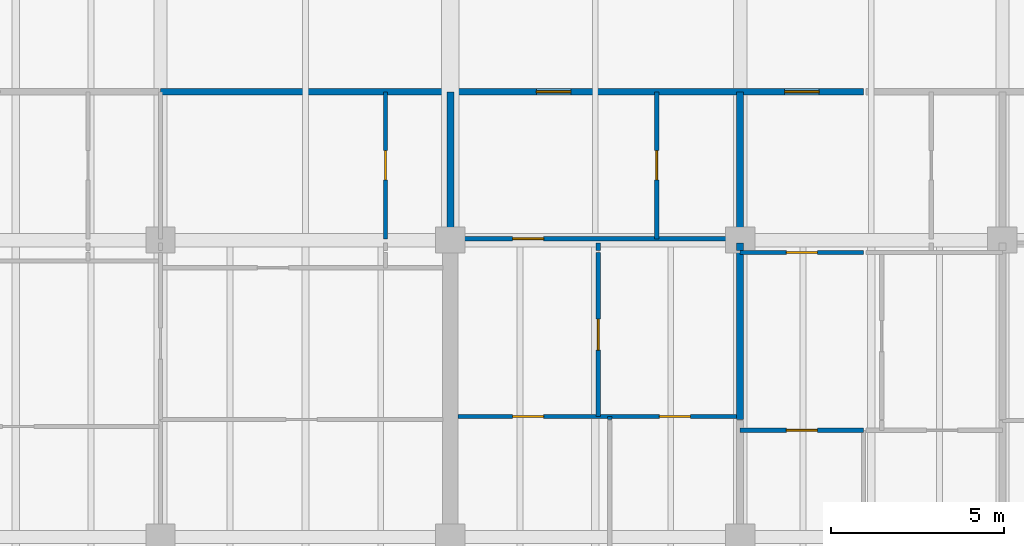
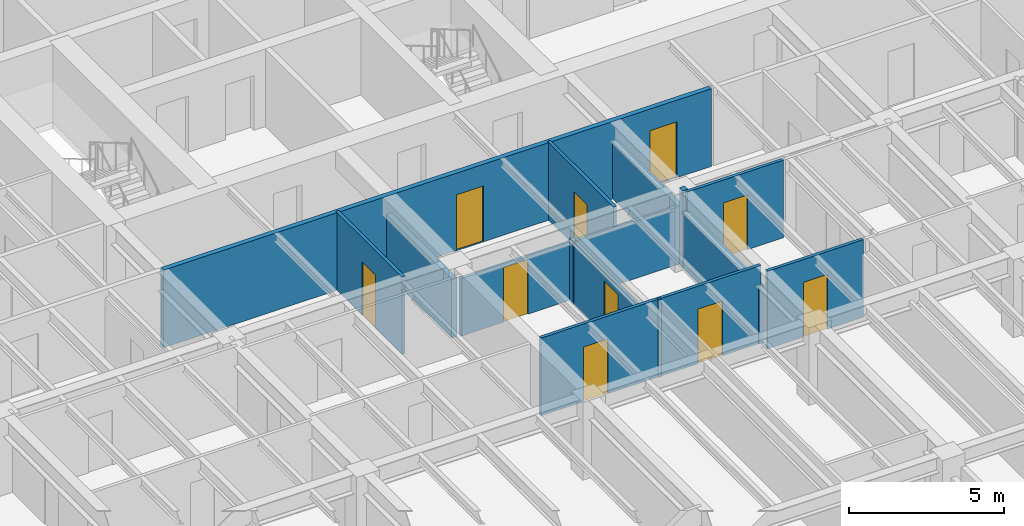
# One storey, part 9 of 19: 14 walls, 10 doors, 10 openings.
"""IFC4 building model written with IfcOpenShell, lengths in metres."""

from ifc_helpers import new_model, si_unit, direction, frame, frame_2d, origin, place, context, subcontext, project, spatial, rectangle, extrude, material, layer, layer_set, type_object, element, fill, save


model = new_model("IFC4")

# Units and contexts
model_context = context("Model", 3, precision=1e-05, world=origin(), true_north=direction((0.0, 1.0)))
body_context = subcontext(model_context, "Body", "Model", "MODEL_VIEW")
ifc_project = project(units=[si_unit("LENGTHUNIT", "METRE"), si_unit("AREAUNIT", "SQUARE_METRE"), si_unit("VOLUMEUNIT", "CUBIC_METRE"), si_unit("PLANEANGLEUNIT", "RADIAN"), si_unit("MASSUNIT", "GRAM", prefix="KILO")], contexts=[model_context])

# Site, building, storey
site_placement = place(None, origin())
site = spatial("IfcSite", under=ifc_project, at=site_placement, CompositionType="ELEMENT")
building_placement = place(site_placement, origin())
building = spatial("IfcBuilding", under=site, at=building_placement, Name="Caelmar Bay Residences", CompositionType="ELEMENT")
storey_placement = place(building_placement, frame((0.0, 0.0, 163.800048828125)))
storey = spatial("IfcBuildingStorey", under=building, at=storey_placement, Name="L45", CompositionType="ELEMENT", Elevation=163.800048828125)

# Wall, openings, doors
ifc_material_1 = material(Name="Double-stud acoustic fire-rated gypsum partition 180 mm")
ifc_layer_1 = layer(ifc_material_1, 0.179931640625)
ifc_layer_set_1 = layer_set([ifc_layer_1], Name="Double-stud acoustic fire-rated gypsum partition 180 mm")
wall_type_1 = type_object("IfcWallType", Name="W-COR-200", PredefinedType="PARTITIONING", material=ifc_layer_set_1)
wall_1_placement = place(storey_placement, frame((18.300048828125, 33.699951171875, 0.0), z_axis=(0.0, 0.0, 1.0), x_axis=(1.0, 0.0, 0.0)))
wall_1 = element("IfcWall", 1, at=wall_1_placement, inside=storey, type_object=wall_type_1, Name="L45 Partition Wall H115", PredefinedType="PARTITIONING", context=body_context, shape_type="SweptSolid", body=[
    extrude(rectangle(XDim=20.3720703125, YDim=0.179931640625, at=frame_2d((10.18603515625, 0.0))), origin(), (0.0, 0.0, 1.0), 3.050048828125),
])
opening_1_placement = place(wall_1_placement, frame((10.89111328125, 0.0, 0.0)))
opening_1 = element("IfcOpeningElement", 2, at=opening_1_placement, cuts=wall_1, Name="Opening D-L45-131", PredefinedType="OPENING", context=body_context, shape_type="SweptSolid", body=[
    extrude(rectangle(XDim=1.0, YDim=2.199951171875, at=frame_2d((0.5, 1.10009765625))), frame((0.0, 0.099853515625, 0.0), z_axis=(0.0, -1.0, 0.0), x_axis=(1.0, 0.0, 0.0)), (0.0, 0.0, 1.0), 0.199951171875),
])
opening_2_placement = place(wall_1_placement, frame((18.0859375, 0.0, 0.0)))
opening_2 = element("IfcOpeningElement", 3, at=opening_2_placement, cuts=wall_1, Name="Opening D-L45-138", PredefinedType="OPENING", context=body_context, shape_type="SweptSolid", body=[
    extrude(rectangle(XDim=1.0, YDim=2.199951171875, at=frame_2d((0.5, 1.10009765625))), frame((0.0, 0.099853515625, 0.0), z_axis=(0.0, -1.0, 0.0), x_axis=(1.0, 0.0, 0.0)), (0.0, 0.0, 1.0), 0.199951171875),
])
ifc_material_2 = material(Name="Fire-rated steel and walnut architectural door assembly", Category="steel")
ifc_layer_2 = layer(ifc_material_2, 0.050048828125)
ifc_layer_set_2 = layer_set([ifc_layer_2], Name="Fire-rated steel and walnut architectural door assembly")
door_type_1 = type_object("IfcDoorType", Name="D-UNIT-1000", OperationType="NOTDEFINED", PredefinedType="DOOR", material=ifc_layer_set_2)
door_1_placement = place(opening_1_placement, origin())
door_1 = element("IfcDoor", 4, at=door_1_placement, inside=storey, type_object=door_type_1, Name="L45 Residence 02 Apartment Hall Door", OperationType="SINGLE_SWING_LEFT", OverallHeight=2.199951171875, OverallWidth=1.0, PredefinedType="DOOR", context=body_context, shape_type="SweptSolid", body=[
    extrude(rectangle(XDim=1.0, YDim=2.199951171875, at=frame_2d((0.5, 1.10009765625))), frame((0.0, 0.02490234375, 0.0), z_axis=(0.0, -1.0, 0.0), x_axis=(1.0, 0.0, 0.0)), (0.0, 0.0, 1.0), 0.050048828125),
])
fill(opening_1, door_1)
door_2_placement = place(opening_2_placement, origin())
door_2 = element("IfcDoor", 5, at=door_2_placement, inside=storey, type_object=door_type_1, Name="L45 Residence 03 Apartment Hall Door", OperationType="SINGLE_SWING_RIGHT", OverallHeight=2.199951171875, OverallWidth=1.0, PredefinedType="DOOR", context=body_context, shape_type="SweptSolid", body=[
    extrude(rectangle(XDim=1.0, YDim=2.199951171875, at=frame_2d((0.5, 1.10009765625))), frame((0.0, 0.02490234375, 0.0), z_axis=(0.0, -1.0, 0.0), x_axis=(1.0, 0.0, 0.0)), (0.0, 0.0, 1.0), 0.050048828125),
])
fill(opening_2, door_2)

# Wall, opening, door
ifc_material_3 = material(Name="Acoustic metal-stud gypsum partition 120 mm")
ifc_layer_3 = layer(ifc_material_3, 0.1201171875)
ifc_layer_set_3 = layer_set([ifc_layer_3], Name="Acoustic metal-stud gypsum partition 120 mm")
wall_type_2 = type_object("IfcWallType", Name="W-PRT-120", PredefinedType="PARTITIONING", material=ifc_layer_set_3)
wall_2_placement = place(storey_placement, frame((24.818115234375, 29.43994140625, 0.0), z_axis=(0.0, 0.0, 1.0), x_axis=(0.0, 1.0, 0.0)))
wall_2 = element("IfcWall", 6, at=wall_2_placement, inside=storey, type_object=wall_type_2, Name="L45 Partition Wall V021", PredefinedType="PARTITIONING", context=body_context, shape_type="SweptSolid", body=[
    extrude(rectangle(XDim=4.260009765625, YDim=0.1201171875, at=frame_2d((2.1298828125, 0.0))), origin(), (0.0, 0.0, 1.0), 3.050048828125),
])
opening_3_placement = place(wall_2_placement, frame((1.705078125, 0.0, 0.0)))
opening_3 = element("IfcOpeningElement", 7, at=opening_3_placement, cuts=wall_2, Name="Opening D-L45-128", PredefinedType="OPENING", context=body_context, shape_type="SweptSolid", body=[
    extrude(rectangle(XDim=0.85009765625, YDim=2.10009765625, at=frame_2d((0.425048828125, 1.050048828125))), frame((0.0, 0.070068359375, 0.0), z_axis=(0.0, -1.0, 0.0), x_axis=(1.0, 0.0, 0.0)), (0.0, 0.0, 1.0), 0.14013671875),
])
ifc_material_4 = material(Name="Solid walnut timber interior door leaf and frame", Category="wood")
ifc_layer_4 = layer(ifc_material_4, 0.050048828125)
ifc_layer_set_4 = layer_set([ifc_layer_4], Name="Solid walnut timber interior door leaf and frame")
door_type_2 = type_object("IfcDoorType", Name="D-BATH-850", OperationType="NOTDEFINED", PredefinedType="DOOR", material=ifc_layer_set_4)
door_3_placement = place(opening_3_placement, origin())
door_3 = element("IfcDoor", 8, at=door_3_placement, inside=storey, type_object=door_type_2, Name="L45 Residence 01 En-Suite Bathroom 1 Door", OperationType="SINGLE_SWING_RIGHT", OverallHeight=2.10009765625, OverallWidth=0.85009765625, PredefinedType="DOOR", context=body_context, shape_type="SweptSolid", body=[
    extrude(rectangle(XDim=0.85009765625, YDim=2.10009765625, at=frame_2d((0.425048828125, 1.050048828125))), frame((0.0, 0.02490234375, 0.0), z_axis=(0.0, -1.0, 0.0), x_axis=(1.0, 0.0, 0.0)), (0.0, 0.0, 1.0), 0.050048828125),
])
fill(opening_3, door_3)

wall_3_placement = place(storey_placement, frame((30.986083984375, 24.2900390625, 0.0), z_axis=(0.0, 0.0, 1.0), x_axis=(0.0, 1.0, 0.0)))
wall_3 = element("IfcWall", 9, at=wall_3_placement, inside=storey, type_object=wall_type_2, Name="L45 Partition Wall V028", PredefinedType="PARTITIONING", context=body_context, shape_type="SweptSolid", body=[
    extrude(rectangle(XDim=4.75, YDim=0.1201171875, at=frame_2d((2.375, 0.0))), origin(), (0.0, 0.0, 1.0), 2.4990234375),
])
opening_4_placement = place(wall_3_placement, frame((1.925048828125, 0.0, 0.0)))
opening_4 = element("IfcOpeningElement", 10, at=opening_4_placement, cuts=wall_3, Name="Opening D-L45-134", PredefinedType="OPENING", context=body_context, shape_type="SweptSolid", body=[
    extrude(rectangle(XDim=0.89990234375, YDim=2.14990234375, at=frame_2d((0.449951171875, 1.074951171875))), frame((0.0, 0.070068359375, 0.0), z_axis=(0.0, -1.0, 0.0), x_axis=(1.0, 0.0, 0.0)), (0.0, 0.0, 1.0), 0.14013671875),
])
ifc_layer_5 = layer(ifc_material_4, 0.050048828125)
ifc_layer_set_5 = layer_set([ifc_layer_5], Name="Solid walnut timber interior door leaf and frame")
door_type_3 = type_object("IfcDoorType", Name="D-ROOM-900", OperationType="NOTDEFINED", PredefinedType="DOOR", material=ifc_layer_set_5)
door_4_placement = place(opening_4_placement, origin())
door_4 = element("IfcDoor", 11, at=door_4_placement, inside=storey, type_object=door_type_3, Name="L45 Residence 02 Home Office Door", OperationType="SINGLE_SWING_RIGHT", OverallHeight=2.14990234375, OverallWidth=0.89990234375, PredefinedType="DOOR", context=body_context, shape_type="SweptSolid", body=[
    extrude(rectangle(XDim=0.89990234375, YDim=2.14990234375, at=frame_2d((0.449951171875, 1.074951171875))), frame((0.0, 0.02490234375, 0.0), z_axis=(0.0, -1.0, 0.0), x_axis=(1.0, 0.0, 0.0)), (0.0, 0.0, 1.0), 0.050048828125),
])
fill(opening_4, door_4)

# Walls
wall_4_placement = place(storey_placement, frame((30.986083984375, 29.10009765625, 0.0), z_axis=(0.0, 0.0, 1.0), x_axis=(0.0, 1.0, 0.0)))
element("IfcWall", 12, at=wall_4_placement, inside=storey, type_object=wall_type_2, Name="L45 Partition Wall V029", PredefinedType="PARTITIONING", context=body_context, shape_type="SweptSolid", body=[
    extrude(rectangle(XDim=0.219970703125, YDim=0.1201171875, at=frame_2d((0.10986328125, 0.0))), origin(), (0.0, 0.0, 1.0), 2.4990234375),
])
wall_5_placement = place(storey_placement, frame((31.320068359375, 24.199951171875, 0.0), z_axis=(0.0, 0.0, 1.0), x_axis=(0.0, 1.0, 0.0)))
element("IfcWall", 13, at=wall_5_placement, inside=storey, type_object=wall_type_2, Name="L45 Partition Wall V032", PredefinedType="PARTITIONING", context=body_context, shape_type="SweptSolid", body=[
    extrude(rectangle(XDim=0.090087890625, YDim=0.1201171875, at=frame_2d((0.044921875, 0.0))), origin(), (0.0, 0.0, 1.0), 3.050048828125),
])

# Wall, opening, door
wall_6_placement = place(storey_placement, frame((32.681884765625, 29.43994140625, 0.0), z_axis=(0.0, 0.0, 1.0), x_axis=(0.0, 1.0, 0.0)))
wall_6 = element("IfcWall", 14, at=wall_6_placement, inside=storey, type_object=wall_type_2, Name="L45 Partition Wall V034", PredefinedType="PARTITIONING", context=body_context, shape_type="SweptSolid", body=[
    extrude(rectangle(XDim=4.260009765625, YDim=0.1201171875, at=frame_2d((2.1298828125, 0.0))), origin(), (0.0, 0.0, 1.0), 3.050048828125),
])
opening_5_placement = place(wall_6_placement, frame((1.705078125, 0.0, 0.0)))
opening_5 = element("IfcOpeningElement", 15, at=opening_5_placement, cuts=wall_6, Name="Opening D-L45-132", PredefinedType="OPENING", context=body_context, shape_type="SweptSolid", body=[
    extrude(rectangle(XDim=0.85009765625, YDim=2.10009765625, at=frame_2d((0.425048828125, 1.050048828125))), frame((0.0, 0.070068359375, 0.0), z_axis=(0.0, -1.0, 0.0), x_axis=(1.0, 0.0, 0.0)), (0.0, 0.0, 1.0), 0.14013671875),
])
door_5_placement = place(opening_5_placement, origin())
door_5 = element("IfcDoor", 16, at=door_5_placement, inside=storey, type_object=door_type_2, Name="L45 Residence 02 Bathroom Door", OperationType="SINGLE_SWING_RIGHT", OverallHeight=2.10009765625, OverallWidth=0.85009765625, PredefinedType="DOOR", context=body_context, shape_type="SweptSolid", body=[
    extrude(rectangle(XDim=0.85009765625, YDim=2.10009765625, at=frame_2d((0.425048828125, 1.050048828125))), frame((0.0, 0.02490234375, 0.0), z_axis=(0.0, -1.0, 0.0), x_axis=(1.0, 0.0, 0.0)), (0.0, 0.0, 1.0), 0.050048828125),
])
fill(opening_5, door_5)

wall_7_placement = place(storey_placement, frame((35.10009765625, 23.889892578125, 0.0), z_axis=(0.0, 0.0, 1.0), x_axis=(1.0, 0.0, 0.0)))
wall_7 = element("IfcWall", 17, at=wall_7_placement, inside=storey, type_object=wall_type_2, Name="L45 Partition Wall H097", PredefinedType="PARTITIONING", context=body_context, shape_type="SweptSolid", body=[
    extrude(rectangle(XDim=3.572021484375, YDim=0.1201171875, at=frame_2d((1.7861328125, 0.0))), origin(), (0.0, 0.0, 1.0), 3.050048828125),
])
opening_6_placement = place(wall_7_placement, frame((1.3359375, 0.0, 0.0)))
opening_6 = element("IfcOpeningElement", 18, at=opening_6_placement, cuts=wall_7, Name="Opening D-L45-142", PredefinedType="OPENING", context=body_context, shape_type="SweptSolid", body=[
    extrude(rectangle(XDim=0.89990234375, YDim=2.14990234375, at=frame_2d((0.449951171875, 1.074951171875))), frame((0.0, 0.070068359375, 0.0), z_axis=(0.0, -1.0, 0.0), x_axis=(1.0, 0.0, 0.0)), (0.0, 0.0, 1.0), 0.14013671875),
])
door_6_placement = place(opening_6_placement, origin())
door_6 = element("IfcDoor", 19, at=door_6_placement, inside=storey, type_object=door_type_3, Name="L45 Residence 03 Living Room Door", OperationType="SINGLE_SWING_RIGHT", OverallHeight=2.14990234375, OverallWidth=0.89990234375, PredefinedType="DOOR", context=body_context, shape_type="SweptSolid", body=[
    extrude(rectangle(XDim=0.89990234375, YDim=2.14990234375, at=frame_2d((0.449951171875, 1.074951171875))), frame((0.0, 0.02490234375, 0.0), z_axis=(0.0, -1.0, 0.0), x_axis=(1.0, 0.0, 0.0)), (0.0, 0.0, 1.0), 0.050048828125),
])
fill(opening_6, door_6)

# Wall, openings, doors
wall_8_placement = place(storey_placement, frame((26.919921875, 24.2900390625, 0.0), z_axis=(0.0, 0.0, 1.0), x_axis=(1.0, 0.0, 0.0)))
wall_8 = element("IfcWall", 20, at=wall_8_placement, inside=storey, type_object=wall_type_2, Name="L45 Partition Wall H104", PredefinedType="PARTITIONING", context=body_context, shape_type="SweptSolid", body=[
    extrude(rectangle(XDim=8.18017578125, YDim=0.1201171875, at=frame_2d((4.090087890625, 0.0))), origin(), (0.0, 0.0, 1.0), 3.050048828125),
])
opening_7_placement = place(wall_8_placement, frame((1.5830078125, 0.0, 0.0)))
opening_7 = element("IfcOpeningElement", 21, at=opening_7_placement, cuts=wall_8, Name="Opening D-L45-135", PredefinedType="OPENING", context=body_context, shape_type="SweptSolid", body=[
    extrude(rectangle(XDim=0.89990234375, YDim=2.14990234375, at=frame_2d((0.449951171875, 1.074951171875))), frame((0.0, 0.070068359375, 0.0), z_axis=(0.0, -1.0, 0.0), x_axis=(1.0, 0.0, 0.0)), (0.0, 0.0, 1.0), 0.14013671875),
])
opening_8_placement = place(wall_8_placement, frame((5.840087890625, 0.0, 0.0)))
opening_8 = element("IfcOpeningElement", 22, at=opening_8_placement, cuts=wall_8, Name="Opening D-L45-136", PredefinedType="OPENING", context=body_context, shape_type="SweptSolid", body=[
    extrude(rectangle(XDim=0.89990234375, YDim=2.14990234375, at=frame_2d((0.449951171875, 1.074951171875))), frame((0.0, 0.070068359375, 0.0), z_axis=(0.0, -1.0, 0.0), x_axis=(1.0, 0.0, 0.0)), (0.0, 0.0, 1.0), 0.14013671875),
])
door_7_placement = place(opening_7_placement, origin())
door_7 = element("IfcDoor", 23, at=door_7_placement, inside=storey, type_object=door_type_3, Name="L45 Residence 02 Penthouse Living Salon Door", OperationType="SINGLE_SWING_LEFT", OverallHeight=2.14990234375, OverallWidth=0.89990234375, PredefinedType="DOOR", context=body_context, shape_type="SweptSolid", body=[
    extrude(rectangle(XDim=0.89990234375, YDim=2.14990234375, at=frame_2d((0.449951171875, 1.074951171875))), frame((0.0, 0.02490234375, 0.0), z_axis=(0.0, -1.0, 0.0), x_axis=(1.0, 0.0, 0.0)), (0.0, 0.0, 1.0), 0.050048828125),
])
fill(opening_7, door_7)
door_8_placement = place(opening_8_placement, origin())
door_8 = element("IfcDoor", 24, at=door_8_placement, inside=storey, type_object=door_type_3, Name="L45 Residence 02 Penthouse Sitting Room Door", OperationType="SINGLE_SWING_RIGHT", OverallHeight=2.14990234375, OverallWidth=0.89990234375, PredefinedType="DOOR", context=body_context, shape_type="SweptSolid", body=[
    extrude(rectangle(XDim=0.89990234375, YDim=2.14990234375, at=frame_2d((0.449951171875, 1.074951171875))), frame((0.0, 0.02490234375, 0.0), z_axis=(0.0, -1.0, 0.0), x_axis=(1.0, 0.0, 0.0)), (0.0, 0.0, 1.0), 0.050048828125),
])
fill(opening_8, door_8)

# Wall, opening, door
wall_9_placement = place(storey_placement, frame((35.10009765625, 29.0400390625, 0.0), z_axis=(0.0, 0.0, 1.0), x_axis=(1.0, 0.0, 0.0)))
wall_9 = element("IfcWall", 25, at=wall_9_placement, inside=storey, type_object=wall_type_2, Name="L45 Partition Wall H109", PredefinedType="PARTITIONING", context=body_context, shape_type="SweptSolid", body=[
    extrude(rectangle(XDim=3.572021484375, YDim=0.1201171875, at=frame_2d((1.7861328125, 0.0))), origin(), (0.0, 0.0, 1.0), 3.050048828125),
])
opening_9_placement = place(wall_9_placement, frame((1.3359375, 0.0, 0.0)))
opening_9 = element("IfcOpeningElement", 26, at=opening_9_placement, cuts=wall_9, Name="Opening D-L45-140", PredefinedType="OPENING", context=body_context, shape_type="SweptSolid", body=[
    extrude(rectangle(XDim=0.89990234375, YDim=2.14990234375, at=frame_2d((0.449951171875, 1.074951171875))), frame((0.0, 0.070068359375, 0.0), z_axis=(0.0, -1.0, 0.0), x_axis=(1.0, 0.0, 0.0)), (0.0, 0.0, 1.0), 0.14013671875),
])
door_9_placement = place(opening_9_placement, origin())
door_9 = element("IfcDoor", 27, at=door_9_placement, inside=storey, type_object=door_type_3, Name="L45 Residence 03 Kitchen Door", OperationType="SINGLE_SWING_RIGHT", OverallHeight=2.14990234375, OverallWidth=0.89990234375, PredefinedType="DOOR", context=body_context, shape_type="SweptSolid", body=[
    extrude(rectangle(XDim=0.89990234375, YDim=2.14990234375, at=frame_2d((0.449951171875, 1.074951171875))), frame((0.0, 0.02490234375, 0.0), z_axis=(0.0, -1.0, 0.0), x_axis=(1.0, 0.0, 0.0)), (0.0, 0.0, 1.0), 0.050048828125),
])
fill(opening_9, door_9)

wall_10_placement = place(storey_placement, frame((26.919921875, 29.43994140625, 0.0), z_axis=(0.0, 0.0, 1.0), x_axis=(1.0, 0.0, 0.0)))
wall_10 = element("IfcWall", 28, at=wall_10_placement, inside=storey, type_object=wall_type_2, Name="L45 Partition Wall H112", PredefinedType="PARTITIONING", context=body_context, shape_type="SweptSolid", body=[
    extrude(rectangle(XDim=8.18017578125, YDim=0.1201171875, at=frame_2d((4.090087890625, 0.0))), origin(), (0.0, 0.0, 1.0), 2.262939453125),
])
opening_10_placement = place(wall_10_placement, frame((1.5830078125, 0.0, 0.0)))
opening_10 = element("IfcOpeningElement", 29, at=opening_10_placement, cuts=wall_10, Name="Opening D-L45-133", PredefinedType="OPENING", context=body_context, shape_type="SweptSolid", body=[
    extrude(rectangle(XDim=0.89990234375, YDim=2.14990234375, at=frame_2d((0.449951171875, 1.074951171875))), frame((0.0, 0.070068359375, 0.0), z_axis=(0.0, -1.0, 0.0), x_axis=(1.0, 0.0, 0.0)), (0.0, 0.0, 1.0), 0.14013671875),
])
door_10_placement = place(opening_10_placement, origin())
door_10 = element("IfcDoor", 30, at=door_10_placement, inside=storey, type_object=door_type_3, Name="L45 Residence 02 Kitchen Door", OperationType="SINGLE_SWING_LEFT", OverallHeight=2.14990234375, OverallWidth=0.89990234375, PredefinedType="DOOR", context=body_context, shape_type="SweptSolid", body=[
    extrude(rectangle(XDim=0.89990234375, YDim=2.14990234375, at=frame_2d((0.449951171875, 1.074951171875))), frame((0.0, 0.02490234375, 0.0), z_axis=(0.0, -1.0, 0.0), x_axis=(1.0, 0.0, 0.0)), (0.0, 0.0, 1.0), 0.050048828125),
])
fill(opening_10, door_10)

# Walls
ifc_material_5 = material(Name="Acoustic twin-stud fire-rated inter-tenancy partition 200 mm")
ifc_layer_6 = layer(ifc_material_5, 0.199951171875)
ifc_layer_set_6 = layer_set([ifc_layer_6], Name="Acoustic twin-stud fire-rated inter-tenancy partition 200 mm")
wall_type_3 = type_object("IfcWallType", Name="W-PTY-200", PredefinedType="PARTITIONING", material=ifc_layer_set_6)
wall_11_placement = place(storey_placement, frame((26.699951171875, 29.43994140625, 0.0), z_axis=(0.0, 0.0, 1.0), x_axis=(0.0, 1.0, 0.0)))
element("IfcWall", 31, at=wall_11_placement, inside=storey, type_object=wall_type_3, Name="L45 Partition Wall V025", PredefinedType="PARTITIONING", context=body_context, shape_type="SweptSolid", body=[
    extrude(rectangle(XDim=4.260009765625, YDim=0.199951171875, at=frame_2d((2.1298828125, 0.0))), origin(), (0.0, 0.0, 1.0), 2.3349609375),
])
wall_12_placement = place(storey_placement, frame((35.10009765625, 24.199951171875, 0.0), z_axis=(0.0, 0.0, 1.0), x_axis=(0.0, 1.0, 0.0)))
element("IfcWall", 32, at=wall_12_placement, inside=storey, type_object=wall_type_3, Name="L45 Partition Wall V037", PredefinedType="PARTITIONING", context=body_context, shape_type="SweptSolid", body=[
    extrude(rectangle(XDim=4.840087890625, YDim=0.199951171875, at=frame_2d((2.419921875, 0.0))), origin(), (0.0, 0.0, 1.0), 2.262939453125),
])
wall_13_placement = place(storey_placement, frame((35.10009765625, 29.10009765625, 0.0), z_axis=(0.0, 0.0, 1.0), x_axis=(0.0, 1.0, 0.0)))
element("IfcWall", 33, at=wall_13_placement, inside=storey, type_object=wall_type_3, Name="L45 Partition Wall V038", PredefinedType="PARTITIONING", context=body_context, shape_type="SweptSolid", body=[
    extrude(rectangle(XDim=0.219970703125, YDim=0.199951171875, at=frame_2d((0.10986328125, 0.0))), origin(), (0.0, 0.0, 1.0), 3.050048828125),
])
wall_14_placement = place(storey_placement, frame((35.10009765625, 29.43994140625, 0.0), z_axis=(0.0, 0.0, 1.0), x_axis=(0.0, 1.0, 0.0)))
element("IfcWall", 34, at=wall_14_placement, inside=storey, type_object=wall_type_3, Name="L45 Partition Wall V039", PredefinedType="PARTITIONING", context=body_context, shape_type="SweptSolid", body=[
    extrude(rectangle(XDim=4.260009765625, YDim=0.199951171875, at=frame_2d((2.1298828125, 0.0))), origin(), (0.0, 0.0, 1.0), 2.262939453125),
])

save(model, "model.ifc")
